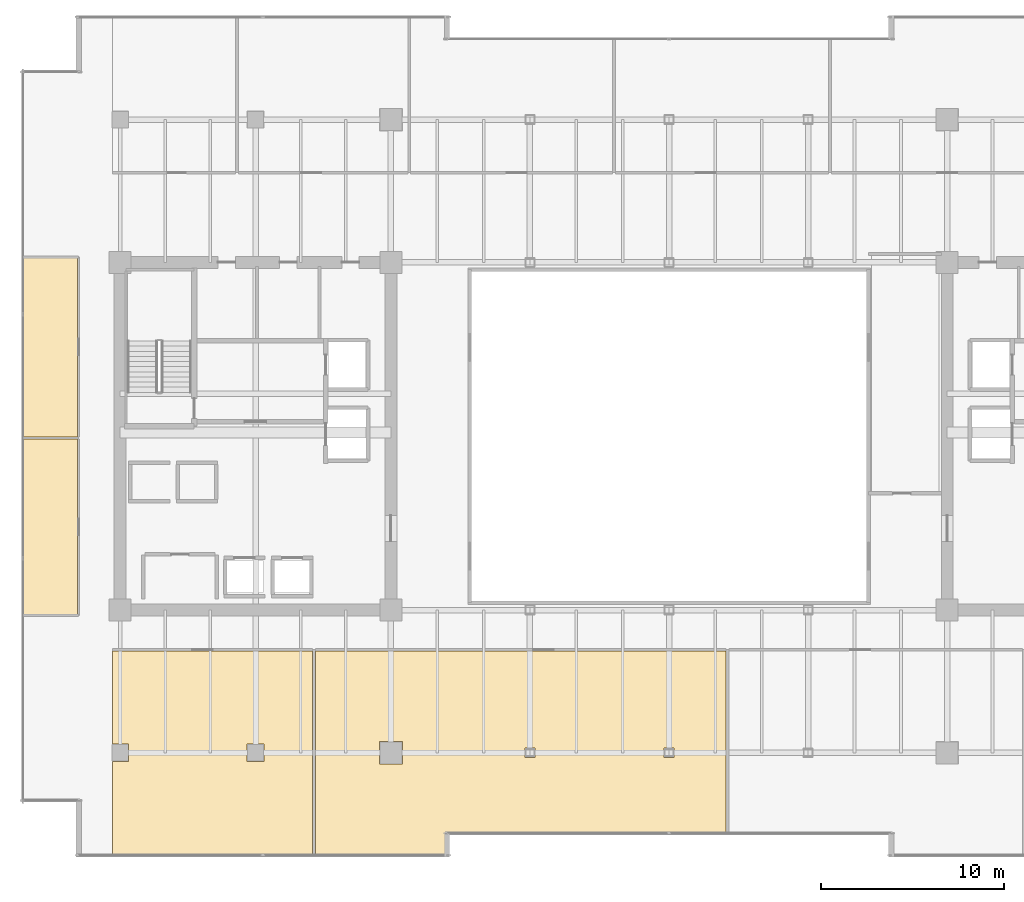
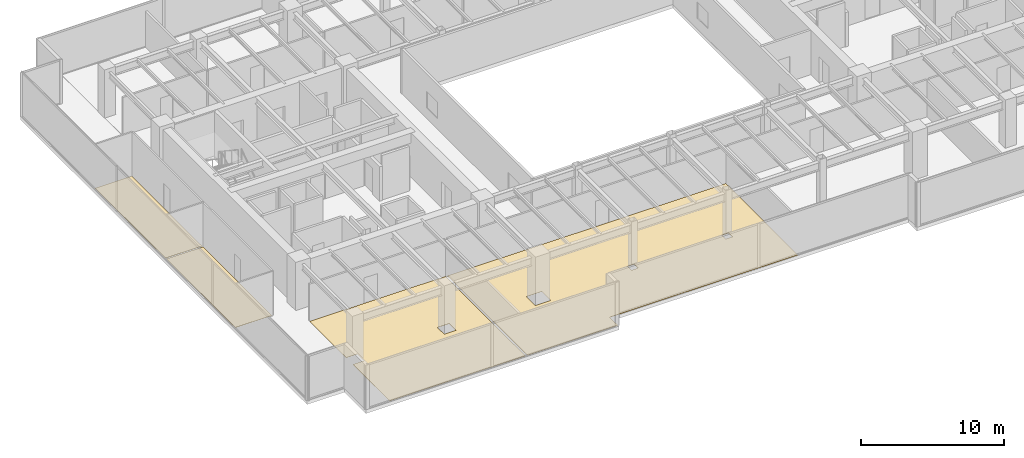
# One storey, part 29 of 33: 4 coverings.
"""IFC4 building model written with IfcOpenShell, lengths in metres."""

from ifc_helpers import new_model, si_unit, direction, frame, origin, place, context, subcontext, project, spatial, polyline, outline, extrude, material, layer, layer_set, type_object, element, save


model = new_model("IFC4")

# Units and contexts
model_context = context("Model", 3, precision=1e-05, world=origin(), true_north=direction((0.0, 1.0)))
body_context = subcontext(model_context, "Body", "Model", "MODEL_VIEW")
ifc_project = project(units=[si_unit("LENGTHUNIT", "METRE"), si_unit("AREAUNIT", "SQUARE_METRE"), si_unit("VOLUMEUNIT", "CUBIC_METRE"), si_unit("PLANEANGLEUNIT", "RADIAN"), si_unit("MASSUNIT", "GRAM", prefix="KILO")], contexts=[model_context])

# Site, building, storey
site_placement = place(None, origin())
site = spatial("IfcSite", under=ifc_project, at=site_placement, CompositionType="ELEMENT")
building_placement = place(site_placement, origin())
building = spatial("IfcBuilding", under=site, at=building_placement, Name="Haelvirn Gate Laboratories", CompositionType="ELEMENT")
storey_placement = place(building_placement, frame((0.0, 0.0, 166.60009765625)))
storey = spatial("IfcBuildingStorey", under=building, at=storey_placement, Name="L40", CompositionType="ELEMENT", Elevation=166.60009765625)

# Coverings
ifc_material = material(Name="Seamless chemical-resistant epoxy laboratory flooring")
ifc_layer = layer(ifc_material, 0.01806640625, Name="COV-FLR-RESIN")
ifc_layer_set = layer_set([ifc_layer], Name="Seamless chemical-resistant epoxy laboratory flooring")
covering_type = type_object("IfcCoveringType", Name="COV-FLR-RESIN", PredefinedType="FLOORING", material=ifc_layer_set)
covering_1_placement = place(storey_placement, origin())
element("IfcCovering", 1, at=covering_1_placement, inside=storey, type_object=covering_type, Name="L40 Seamless Laboratory Flooring FLR-SP-L40-S-01", PredefinedType="FLOORING", context=body_context, shape_type="SweptSolid", body=[
    extrude(outline(polyline([(17.919921875, 1.409912109375), (6.97998046875, 1.409912109375), (6.97998046875, 6.530029296875), (7.8701171875, 6.530029296875), (7.8701171875, 7.469970703125), (6.97998046875, 7.469970703125), (6.97998046875, 12.570068359375), (17.919921875, 12.570068359375), (17.919921875, 1.409912109375)]), holes=[polyline([(14.330078125, 6.530029296875), (15.27001953125, 6.530029296875), (15.27001953125, 7.469970703125), (14.330078125, 7.469970703125), (14.330078125, 6.530029296875)])]), origin(), (0.0, 0.0, 1.0), 0.017822265625),
])
covering_2_placement = place(storey_placement, origin())
element("IfcCovering", 2, at=covering_2_placement, inside=storey, type_object=covering_type, Name="L40 Seamless Laboratory Flooring FLR-SP-L40-S-02", PredefinedType="FLOORING", context=body_context, shape_type="SweptSolid", body=[
    extrude(outline(polyline([(25.39990234375, 2.5400390625), (25.39599609375, 2.539794921875), (25.39208984375, 2.539306640625), (25.388427734375, 2.538330078125), (25.384765625, 2.537109375), (25.381103515625, 2.535400390625), (25.377685546875, 2.533203125), (25.37451171875, 2.531005859375), (25.37158203125, 2.5283203125), (25.369140625, 2.525390625), (25.36669921875, 2.522216796875), (25.36474609375, 2.518798828125), (25.363037109375, 2.515380859375), (25.36181640625, 2.51171875), (25.36083984375, 2.5078125), (25.360107421875, 2.50390625), (25.360107421875, 2.5), (25.360107421875, 1.409912109375), (18.080078125, 1.409912109375), (18.080078125, 12.570068359375), (40.52001953125, 12.570068359375), (40.52001953125, 2.5400390625), (25.39990234375, 2.5400390625)]), holes=[polyline([(22.820068359375, 6.3798828125), (22.820068359375, 7.6201171875), (21.580078125, 7.6201171875), (21.580078125, 6.3798828125), (22.820068359375, 6.3798828125)]), polyline([(29.530029296875, 6.72998046875), (30.070068359375, 6.72998046875), (30.070068359375, 7.27001953125), (29.530029296875, 7.27001953125), (29.530029296875, 6.72998046875)]), polyline([(37.1298828125, 7.27001953125), (37.1298828125, 6.72998046875), (37.669921875, 6.72998046875), (37.669921875, 7.27001953125), (37.1298828125, 7.27001953125)])]), origin(), (0.0, 0.0, 1.0), 0.017822265625),
])
covering_3_placement = place(storey_placement, origin())
element("IfcCovering", 3, at=covering_3_placement, inside=storey, type_object=covering_type, Name="L40 Seamless Laboratory Flooring FLR-SP-L40-WCELL-01", PredefinedType="FLOORING", context=body_context, shape_type="SweptSolid", body=[
    extrude(outline(polyline([(2.110107421875, 24.139892578125), (5.06005859375, 24.139892578125), (5.06005859375, 14.514892578125), (2.110107421875, 14.514892578125), (2.110107421875, 24.139892578125)])), origin(), (0.0, 0.0, 1.0), 0.017822265625),
])
covering_4_placement = place(storey_placement, origin())
element("IfcCovering", 4, at=covering_4_placement, inside=storey, type_object=covering_type, Name="L40 Seamless Laboratory Flooring FLR-SP-L40-WCELL-02", PredefinedType="FLOORING", context=body_context, shape_type="SweptSolid", body=[
    extrude(outline(polyline([(2.110107421875, 34.0849609375), (5.06005859375, 34.0849609375), (5.06005859375, 24.260009765625), (2.110107421875, 24.260009765625), (2.110107421875, 34.0849609375)])), origin(), (0.0, 0.0, 1.0), 0.017822265625),
])

save(model, "model.ifc")
